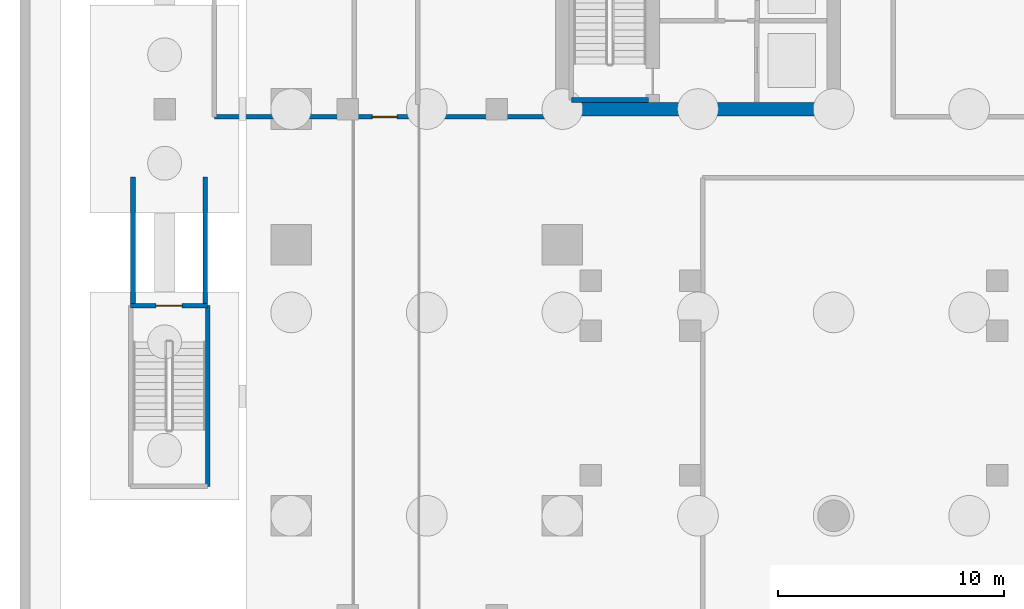
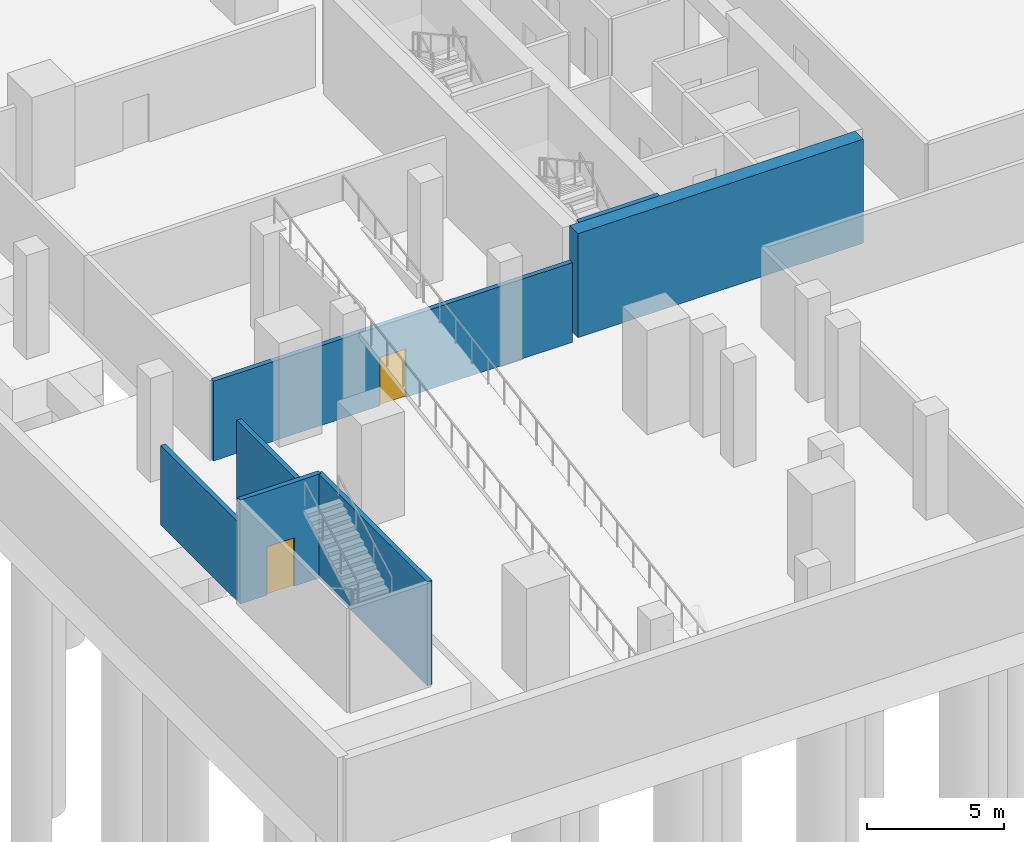
# One storey, part 3 of 14: 7 walls, 2 doors, 2 openings.
"""IFC4 building model written with IfcOpenShell, lengths in metres."""

from ifc_helpers import new_model, si_unit, direction, frame, frame_2d, origin, place, context, subcontext, project, spatial, rectangle, extrude, material, layer, layer_set, type_object, element, fill, save


model = new_model("IFC4")

# Units and contexts
model_context = context("Model", 3, precision=1e-05, world=origin(), true_north=direction((0.0, 1.0)))
body_context = subcontext(model_context, "Body", "Model", "MODEL_VIEW")
ifc_project = project(units=[si_unit("LENGTHUNIT", "METRE"), si_unit("AREAUNIT", "SQUARE_METRE"), si_unit("VOLUMEUNIT", "CUBIC_METRE"), si_unit("PLANEANGLEUNIT", "RADIAN"), si_unit("MASSUNIT", "GRAM", prefix="KILO")], contexts=[model_context])

# Site, building, storey
site_placement = place(None, origin())
site = spatial("IfcSite", under=ifc_project, at=site_placement, CompositionType="ELEMENT")
building_placement = place(site_placement, origin())
building = spatial("IfcBuilding", under=site, at=building_placement, Name="Tanjung Sevakor Pilgrim Tower", CompositionType="ELEMENT")
storey_placement = place(building_placement, frame((0.0, 0.0, -9.239990234375)))
storey = spatial("IfcBuildingStorey", under=building, at=storey_placement, Name="B02", CompositionType="ELEMENT", Elevation=-9.239990234375)

# Walls
ifc_material_1 = material(Name="Concrete C60/75", Category="concrete")
ifc_layer_1 = layer(ifc_material_1, 0.60009765625)
ifc_layer_set_1 = layer_set([ifc_layer_1], Name="WALL-CW-600B")
wall_type_1 = type_object("IfcWallType", Name="WALL-CW-600B", PredefinedType="SHEAR", material=ifc_layer_set_1)
wall_1_placement = place(storey_placement, frame((24.0, 24.60009765625, 0.0), z_axis=(0.0, 0.0, 1.0), x_axis=(1.0, 0.0, 0.0)))
element("IfcWall", 1, at=wall_1_placement, inside=storey, type_object=wall_type_1, Name="B02 W Core South Shear Wall", PredefinedType="SHEAR", context=body_context, shape_type="SweptSolid", body=[
    extrude(rectangle(XDim=12.0, YDim=0.60009765625, at=frame_2d((6.0, 0.0))), origin(), (0.0, 0.0, 1.0), 4.619873046875),
])
ifc_material_2 = material(Name="Concrete C40/50", Category="concrete")
ifc_layer_2 = layer(ifc_material_2, 0.199951171875)
ifc_layer_set_2 = layer_set([ifc_layer_2], Name="WT-FIRE-200")
wall_type_2 = type_object("IfcWallType", Name="WT-FIRE-200", PredefinedType="SOLIDWALL", material=ifc_layer_set_2)
wall_2_placement = place(storey_placement, frame((24.39990234375, 25.0, 0.0), z_axis=(0.0, 0.0, 1.0), x_axis=(1.0, 0.0, 0.0)))
element("IfcWall", 2, at=wall_2_placement, inside=storey, type_object=wall_type_2, Name="B02 TS-W1 Shaft Wall 1", PredefinedType="SOLIDWALL", context=body_context, shape_type="SweptSolid", body=[
    extrude(rectangle(XDim=3.400146484375, YDim=0.199951171875, at=frame_2d((1.7001953125, 0.0))), origin(), (0.0, 0.0, 1.0), 4.619873046875),
])
wall_3_placement = place(storey_placement, frame((8.300048828125, 7.89990234375, 0.0), z_axis=(0.0, 0.0, 1.0), x_axis=(0.0, 1.0, 0.0)))
element("IfcWall", 3, at=wall_3_placement, inside=storey, type_object=wall_type_2, Name="B02 BS-1 Shaft Wall 2", PredefinedType="SOLIDWALL", context=body_context, shape_type="SweptSolid", body=[
    extrude(rectangle(XDim=8.0, YDim=0.199951171875, at=frame_2d((4.0, 0.0))), origin(), (0.0, 0.0, 1.0), 4.619873046875),
])

# Wall, opening, door
wall_4_placement = place(storey_placement, frame((8.300048828125, 15.89990234375, 0.0), z_axis=(0.0, 0.0, 1.0), x_axis=(-1.0, 0.0, 0.0)))
wall_4 = element("IfcWall", 4, at=wall_4_placement, inside=storey, type_object=wall_type_2, Name="B02 BS-1 Shaft Wall 3", PredefinedType="SOLIDWALL", context=body_context, shape_type="SweptSolid", body=[
    extrude(rectangle(XDim=3.400146484375, YDim=0.199951171875, at=frame_2d((1.7001953125, 0.0))), origin(), (0.0, 0.0, 1.0), 4.619873046875),
])
opening_1_placement = place(wall_4_placement, frame((1.125, 0.0, 0.0)))
opening_1 = element("IfcOpeningElement", 5, at=opening_1_placement, cuts=wall_4, Name="Opening ID-ST1", PredefinedType="OPENING", context=body_context, shape_type="SweptSolid", body=[
    extrude(rectangle(XDim=1.14990234375, YDim=2.14990234375, at=frame_2d((0.574951171875, 1.074951171875))), frame((0.0, 0.10986328125, 0.0), z_axis=(0.0, -1.0, 0.0), x_axis=(1.0, 0.0, 0.0)), (0.0, 0.0, 1.0), 0.219970703125),
])
ifc_material_3 = material(Name="Fire-Rated Steel S355J2", Category="steel")
door_type_1 = type_object("IfcDoorType", Name="DT-FIRE-1150", OperationType="NOTDEFINED", PredefinedType="DOOR", material=ifc_material_3)
door_1_placement = place(opening_1_placement, origin())
door_1 = element("IfcDoor", 6, at=door_1_placement, inside=storey, type_object=door_type_1, Name="B02 BS-1 Stair Entry Fire Door", OperationType="SINGLE_SWING_LEFT", OverallHeight=2.14990234375, OverallWidth=1.14990234375, PredefinedType="DOOR", context=body_context, shape_type="SweptSolid", body=[
    extrude(rectangle(XDim=1.14990234375, YDim=2.14990234375, at=frame_2d((0.574951171875, 1.074951171875))), frame((0.0, 0.02490234375, 0.0), z_axis=(0.0, -1.0, 0.0), x_axis=(1.0, 0.0, 0.0)), (0.0, 0.0, 1.0), 0.050048828125),
])
fill(opening_1, door_1)

# Walls
ifc_material_4 = material(Name="Concrete C40/50", Category="concrete")
ifc_layer_3 = layer(ifc_material_4, 0.199951171875)
ifc_layer_set_3 = layer_set([ifc_layer_3], Name="WT-FPRT-200")
wall_type_3 = type_object("IfcWallType", Name="WT-FPRT-200", PredefinedType="SOLIDWALL", material=ifc_layer_set_3)
for number, where, z_axis, x_axis, name in (
    (7, (5.0, 15.89990234375, 0.0), (0.0, 0.0, 1.0), (0.0, 1.0, 0.0), "B02 Partition IW-B02-033"),
    (8, (8.199951171875, 15.89990234375, 0.0), (0.0, 0.0, 1.0), (0.0, 1.0, 0.0), "B02 Partition IW-B02-034"),
):
    element("IfcWall", number, at=place(storey_placement, frame(where, z_axis=z_axis, x_axis=x_axis)), inside=storey, type_object=wall_type_3, Name=name, PredefinedType="SOLIDWALL", context=body_context, shape_type="SweptSolid", body=[
        extrude(rectangle(XDim=5.7001953125, YDim=0.199951171875, at=frame_2d((2.85009765625, 0.0))), origin(), (0.0, 0.0, 1.0), 3.5400390625),
    ])

# Wall, opening, door
wall_5_placement = place(storey_placement, frame((8.60009765625, 24.25, 0.0), z_axis=(0.0, 0.0, 1.0), x_axis=(1.0, 0.0, 0.0)))
wall_5 = element("IfcWall", 9, at=wall_5_placement, inside=storey, type_object=wall_type_3, Name="B02 Partition IW-B02-042", PredefinedType="SOLIDWALL", context=body_context, shape_type="SweptSolid", body=[
    extrude(rectangle(XDim=15.079833984375, YDim=0.199951171875, at=frame_2d((7.5400390625, 0.0))), origin(), (0.0, 0.0, 1.0), 3.5400390625),
])
opening_2_placement = place(wall_5_placement, frame((6.989990234375, 0.0, 0.0)))
opening_2 = element("IfcOpeningElement", 10, at=opening_2_placement, cuts=wall_5, Name="Opening ID-FD0", PredefinedType="OPENING", context=body_context, shape_type="SweptSolid", body=[
    extrude(rectangle(XDim=1.10009765625, YDim=2.14990234375, at=frame_2d((0.550048828125, 1.074951171875))), frame((0.0, 0.10986328125, 0.0), z_axis=(0.0, -1.0, 0.0), x_axis=(1.0, 0.0, 0.0)), (0.0, 0.0, 1.0), 0.219970703125),
])
ifc_material_5 = material(Name="Fire-Rated Steel S355J2", Category="steel")
door_type_2 = type_object("IfcDoorType", Name="DT-FIRE-1100", OperationType="NOTDEFINED", PredefinedType="DOOR", material=ifc_material_5)
door_2_placement = place(opening_2_placement, origin())
door_2 = element("IfcDoor", 11, at=door_2_placement, inside=storey, type_object=door_type_2, Name="B02 Detention Tank Door", OperationType="SINGLE_SWING_RIGHT", OverallHeight=2.14990234375, OverallWidth=1.10009765625, PredefinedType="DOOR", context=body_context, shape_type="SweptSolid", body=[
    extrude(rectangle(XDim=1.10009765625, YDim=2.14990234375, at=frame_2d((0.550048828125, 1.074951171875))), frame((0.0, 0.02490234375, 0.0), z_axis=(0.0, -1.0, 0.0), x_axis=(1.0, 0.0, 0.0)), (0.0, 0.0, 1.0), 0.050048828125),
])
fill(opening_2, door_2)

save(model, "model.ifc")
